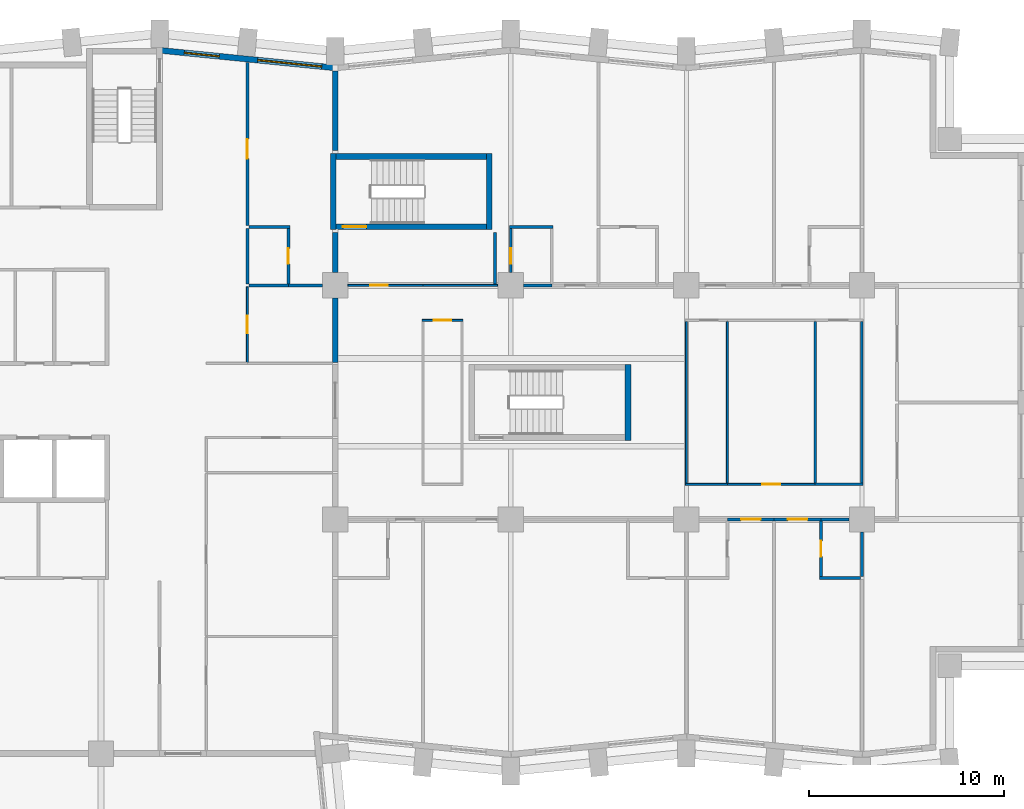
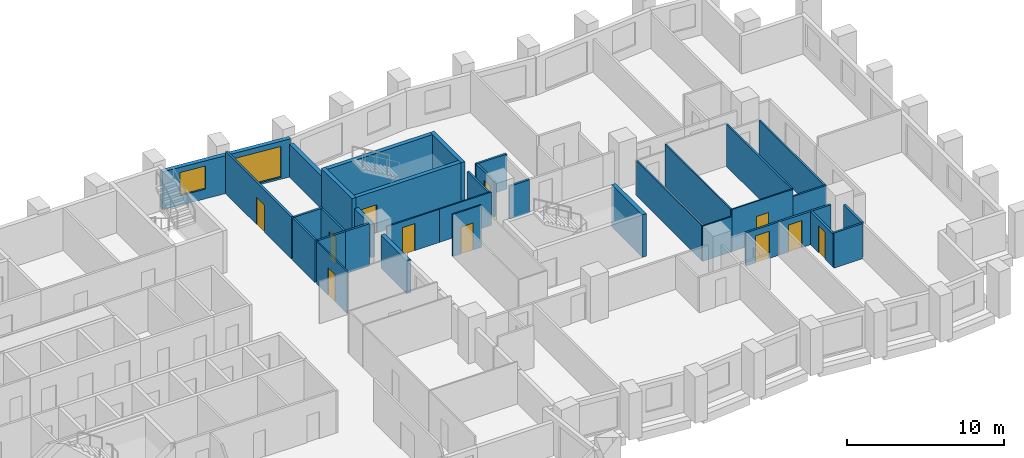
# One storey, part 8 of 12: 36 walls, 11 doors, 2 windows, 13 openings.
"""IFC4 building model written with IfcOpenShell, lengths in metres."""

import ifcopenshell
import ifcopenshell.guid

model = None  # the IFC model being written
_history = None  # IfcOwnerHistory: only IFC2X3 demands one
_inside = {}  # id of a spatial element -> (the spatial element, [elements in it])
_under = {}  # id of a project, library or spatial element -> (it, [spatial elements below it])
_declared = {}  # id of a project -> (the project, [libraries it declares])
_typed = {}  # id of a type object -> (the type object, [elements of that type])
_made_of = {}  # id of a material, layer set ... -> (it, [elements and type objects made of it])


def new_model(schema):
    """Start an empty IFC model of exactly this schema.

    Asked for "IFC4X3", IfcOpenShell would pick the latest addendum, in which some entities
    have other attributes; the version numbers below select the first issue.
    IFC2X3 requires an IfcOwnerHistory on every rooted entity: one is made here for all.
    """
    global model, _history
    if schema == "IFC4X3":
        model = ifcopenshell.file(schema_version=(4, 3, 0, 0))
    else:
        model = ifcopenshell.file(schema=schema)
    _inside.clear()
    _under.clear()
    _declared.clear()
    _typed.clear()
    _made_of.clear()
    _history = None
    if model.schema == "IFC2X3":
        org = make("IfcOrganization", Name="unknown")
        user = make(
            "IfcPersonAndOrganization",
            ThePerson=make("IfcPerson", FamilyName="unknown"),
            TheOrganization=org,
        )
        app = make(
            "IfcApplication",
            ApplicationDeveloper=org,
            Version="unknown",
            ApplicationFullName="unknown",
            ApplicationIdentifier="unknown",
        )
        _history = make(
            "IfcOwnerHistory",
            OwningUser=user,
            OwningApplication=app,
            ChangeAction="ADDED",
            CreationDate=0,
        )
    return model


def make(cls, **values):
    """One entity of the class cls with the attributes given. An attribute that is None is left unset."""
    return model.create_entity(
        cls, **{name: value for name, value in values.items() if value is not None}
    )


def rooted(cls, **values):
    """An entity with a GlobalId (a new one), such as an element, a storey or a relation."""
    return make(cls, GlobalId=ifcopenshell.guid.new(), OwnerHistory=_history, **values)


def si_unit(unit_type, name, prefix=None):
    """IfcSIUnit, for example si_unit("LENGTHUNIT", "METRE", prefix="MILLI")."""
    return make("IfcSIUnit", UnitType=unit_type, Prefix=prefix, Name=name)


def assignment(units):
    """IfcUnitAssignment: the units of a project."""
    return None if units is None else make("IfcUnitAssignment", Units=units)


def point(xyz):
    """IfcCartesianPoint."""
    return None if xyz is None else make("IfcCartesianPoint", Coordinates=xyz)


def direction(xyz):
    """IfcDirection."""
    return None if xyz is None else make("IfcDirection", DirectionRatios=xyz)


def frame(location, z_axis=None, x_axis=None):
    """IfcAxis2Placement3D, a coordinate frame: its origin and axes. An axis left out is left unset."""
    return make(
        "IfcAxis2Placement3D",
        Location=point(location),
        Axis=direction(z_axis),
        RefDirection=direction(x_axis),
    )


def frame_2d(location, x_axis=None):
    """IfcAxis2Placement2D, a coordinate frame in the plane: its origin and x axis."""
    return make(
        "IfcAxis2Placement2D", Location=point(location), RefDirection=direction(x_axis)
    )


def origin():
    """The frame at (0, 0, 0) with its axes left unset."""
    return frame((0.0, 0.0, 0.0))


def place(relative_to, where):
    """IfcLocalPlacement: puts the frame where relative to a parent placement (None: the world)."""
    return make(
        "IfcLocalPlacement", PlacementRelTo=relative_to, RelativePlacement=where
    )


def context(
    kind, dimensions, precision=None, world=None, true_north=None, identifier=None
):
    """IfcGeometricRepresentationContext, for example the 3D "Model" context."""
    return make(
        "IfcGeometricRepresentationContext",
        ContextIdentifier=identifier,
        ContextType=kind,
        CoordinateSpaceDimension=dimensions,
        Precision=precision,
        WorldCoordinateSystem=world,
        TrueNorth=true_north,
    )


def subcontext(parent, identifier, kind, view, scale=None):
    """IfcGeometricRepresentationSubContext, for example "Body" below "Model"."""
    return make(
        "IfcGeometricRepresentationSubContext",
        ContextIdentifier=identifier,
        ContextType=kind,
        ParentContext=parent,
        TargetScale=scale,
        TargetView=view,
    )


def project(units=None, contexts=None):
    """IfcProject with its units and contexts."""
    return rooted(
        "IfcProject",
        Name="project",
        RepresentationContexts=contexts,
        UnitsInContext=assignment(units),
    )


def spatial(cls, under=None, at=None, **own):
    """A site, building, storey or space (cls), placed at a placement, below another one or the project."""
    s = rooted(cls, ObjectPlacement=at, **own)
    if under is not None:
        _under.setdefault(under.id(), (under, []))[1].append(s)
    return s


def profile(cls, at=None, kind="AREA", **sizes):
    """A parametric profile (cls). Its sizes go by their IFC names, for example OverallWidth=200.0."""
    return make(cls, ProfileType=kind, Position=at, **sizes)


def rectangle(**sizes):
    """IfcRectangleProfileDef."""
    return profile("IfcRectangleProfileDef", **sizes)


def extrude(swept, where, along, depth):
    """IfcExtrudedAreaSolid: the profile swept, set in the frame where, extruded along a direction by depth."""
    return make(
        "IfcExtrudedAreaSolid",
        SweptArea=swept,
        Position=where,
        ExtrudedDirection=direction(along),
        Depth=depth,
    )


def shape(context_of_items, identifier, shape_type, items):
    """IfcShapeRepresentation: the items that make up one representation, for example the "Body"."""
    return make(
        "IfcShapeRepresentation",
        ContextOfItems=context_of_items,
        RepresentationIdentifier=identifier,
        RepresentationType=shape_type,
        Items=items,
    )


def material(Name=None, Category=None):
    """IfcMaterial."""
    return make("IfcMaterial", Name=Name, Category=Category)


def layer(
    of_material, thickness, ventilated=None, Name=None, Category=None, Priority=None
):
    """IfcMaterialLayer: one layer of a wall or slab, of a material (None: an air gap)."""
    return make(
        "IfcMaterialLayer",
        Material=of_material,
        LayerThickness=thickness,
        IsVentilated=ventilated,
        Name=Name,
        Category=Category,
        Priority=Priority,
    )


def layer_set(layers, Name=None):
    """IfcMaterialLayerSet."""
    return make("IfcMaterialLayerSet", MaterialLayers=layers, LayerSetName=Name)


def made_of(thing, what):
    """Note that an element or type object is made of a material, layer set ...; save() writes the relation."""
    if what is not None:
        _made_of.setdefault(what.id(), (what, []))[1].append(thing)
    return thing


def type_object(cls, material=None, **own):
    """A type object (cls), such as IfcWallType, which elements share."""
    return made_of(rooted(cls, **own), material)


def element(
    cls,
    number,
    at=None,
    inside=None,
    cuts=None,
    type_object=None,
    material=None,
    context=None,
    identifier="Body",
    shape_type=None,
    held_by="IfcProductDefinitionShape",
    body=None,
    shapes=None,
    **own,
):
    """One element of the class cls, such as IfcWall. Its Tag is "e" and its number.

    at: its placement. inside: the storey or other place that contains it. cuts: it is an
    opening in that element (IfcRelVoidsElement). A single representation is given by context,
    identifier, shape_type and body (its items); several are given by shapes. held_by: the class
    of the entity that holds the representations. save() writes the other relations.
    """
    e = rooted(cls, Tag="e%d" % number, ObjectPlacement=at, **own)
    if body is not None:
        shapes = [shape(context, identifier, shape_type, body)]
    if shapes is not None:
        e.Representation = make(held_by, Representations=shapes)
    if inside is not None:
        _inside.setdefault(inside.id(), (inside, []))[1].append(e)
    if cuts is not None:
        rooted(
            "IfcRelVoidsElement", RelatingBuildingElement=cuts, RelatedOpeningElement=e
        )
    if type_object is not None:
        _typed.setdefault(type_object.id(), (type_object, []))[1].append(e)
    return made_of(e, material)


def fill(opening, filler):
    """IfcRelFillsElement: the door or window that sits in an opening."""
    return rooted(
        "IfcRelFillsElement",
        RelatingOpeningElement=opening,
        RelatedBuildingElement=filler,
    )


def aggregate(whole, parts):
    """IfcRelAggregates: a whole, such as a stair, and the parts it consists of."""
    return rooted("IfcRelAggregates", RelatingObject=whole, RelatedObjects=parts)


def save(model, path):
    """Write the relations noted so far, then the file.

    IfcRelAggregates (storeys below a building ...), IfcRelContainedInSpatialStructure (elements
    in a storey), IfcRelDefinesByType, IfcRelAssociatesMaterial and IfcRelDeclares: one each for
    every whole, place, type object, material and project.
    """
    for whole, parts in _under.values():
        aggregate(whole, parts)
    for where, things in _inside.values():
        rooted(
            "IfcRelContainedInSpatialStructure",
            RelatedElements=things,
            RelatingStructure=where,
        )
    for kind, things in _typed.values():
        rooted("IfcRelDefinesByType", RelatedObjects=things, RelatingType=kind)
    for what, things in _made_of.values():
        rooted("IfcRelAssociatesMaterial", RelatedObjects=things, RelatingMaterial=what)
    for by, libraries in _declared.values():
        rooted("IfcRelDeclares", RelatingContext=by, RelatedDefinitions=libraries)
    model.write(path)


model = new_model("IFC4")

# Units and contexts
model_context = context("Model", 3, precision=1e-05, world=origin(), true_north=direction((0.0, 1.0)))
body_context = subcontext(model_context, "Body", "Model", "MODEL_VIEW")
ifc_project = project(units=[si_unit("LENGTHUNIT", "METRE"), si_unit("AREAUNIT", "SQUARE_METRE"), si_unit("VOLUMEUNIT", "CUBIC_METRE"), si_unit("PLANEANGLEUNIT", "RADIAN"), si_unit("MASSUNIT", "GRAM", prefix="KILO")], contexts=[model_context])

# Site, building, storey
site_placement = place(None, origin())
site = spatial("IfcSite", under=ifc_project, at=site_placement, CompositionType="ELEMENT")
building_placement = place(site_placement, origin())
building = spatial("IfcBuilding", under=site, at=building_placement, Name="Brondeck Convention Tower", CompositionType="ELEMENT")
storey_placement = place(building_placement, frame((0.0, 0.0, 66.300048828125)))
storey = spatial("IfcBuildingStorey", under=building, at=storey_placement, Name="L14", CompositionType="ELEMENT", Elevation=66.300048828125)

# Walls
ifc_material_1 = material(Name="Concrete compartment wall C30/37", Category="concrete")
ifc_layer_1 = layer(ifc_material_1, 0.300048828125)
ifc_layer_set_1 = layer_set([ifc_layer_1], Name="Compartment wall 300")
wall_type_1 = type_object("IfcWallType", Name="Compartment wall 300", PredefinedType="PARTITIONING", material=ifc_layer_set_1)
wall_1_placement = place(storey_placement, frame((36.0, 50.344970703125, 0.0), z_axis=(0.0, 0.0, 1.0), x_axis=(0.0, -1.0, 0.0)))
element("IfcWall", 1, at=wall_1_placement, inside=storey, type_object=wall_type_1, Name="FLR-L14-W098", PredefinedType="PARTITIONING", context=body_context, shape_type="SweptSolid", body=[
    extrude(rectangle(XDim=3.294921875, YDim=0.300048828125, at=frame_2d((1.6474609375, 0.0))), origin(), (0.0, 0.0, 1.0), 2.579833984375),
])
wall_2_placement = place(storey_placement, frame((36.0, 53.699951171875, 0.0), z_axis=(0.0, 0.0, 1.0), x_axis=(0.0, -1.0, 0.0)))
element("IfcWall", 2, at=wall_2_placement, inside=storey, type_object=wall_type_1, Name="FLR-L14-W116", PredefinedType="PARTITIONING", context=body_context, shape_type="SweptSolid", body=[
    extrude(rectangle(XDim=2.044921875, YDim=0.300048828125, at=frame_2d((1.0224609375, 0.0))), origin(), (0.0, 0.0, 1.0), 2.579833984375),
])
wall_3_placement = place(storey_placement, frame((36.0, 61.97509765625, 0.0), z_axis=(0.0, 0.0, 1.0), x_axis=(0.0, -1.0, 0.0)))
element("IfcWall", 3, at=wall_3_placement, inside=storey, type_object=wall_type_1, Name="FLR-L14-W127", PredefinedType="PARTITIONING", context=body_context, shape_type="SweptSolid", body=[
    extrude(rectangle(XDim=4.0751953125, YDim=0.300048828125, at=frame_2d((2.03759765625, 0.0))), origin(), (0.0, 0.0, 1.0), 2.579833984375),
])

# Wall, openings, windows
ifc_material_2 = material(Name="Precast concrete C50/60 bronze finish", Category="concrete")
ifc_layer_2 = layer(ifc_material_2, 0.070068359375, Name="Bronze precast facing")
ifc_material_3 = material(Name="Mineral wool")
ifc_layer_3 = layer(ifc_material_3, 0.159912109375, Name="Insulation")
ifc_material_4 = material(Name="Concrete C35/45", Category="concrete")
ifc_layer_4 = layer(ifc_material_4, 0.070068359375, Name="Backing")
ifc_layer_set_2 = layer_set([ifc_layer_2, ifc_layer_3, ifc_layer_4], Name="External infill wall, precast concrete C50/60 bronze facing")
wall_type_2 = type_object("IfcWallType", Name="External infill wall, precast concrete C50/60 bronze facing", PredefinedType="SOLIDWALL", material=ifc_layer_set_2)
wall_4_placement = place(storey_placement, frame((27.064697265625, 63.039306640625, 0.0), z_axis=(0.0, 0.0, 1.0), x_axis=(0.995036379926, -0.099511821531, 0.0)))
wall_4 = element("IfcWall", 4, at=wall_4_placement, inside=storey, type_object=wall_type_2, Name="ENV-EW-L14-P0-A-N-07", PredefinedType="SOLIDWALL", context=body_context, shape_type="SweptSolid", body=[
    extrude(rectangle(XDim=8.949951171875, YDim=0.300048828125, at=frame_2d((4.47509765625, 0.0))), origin(), (0.0, 0.0, 1.0), 2.949951171875),
])
opening_1_placement = place(wall_4_placement, frame((1.211181640625, 0.0, 0.75)))
opening_1 = element("IfcOpeningElement", 5, at=opening_1_placement, cuts=wall_4, Name="Opening W10", PredefinedType="OPENING", context=body_context, shape_type="SweptSolid", body=[
    extrude(rectangle(XDim=1.800048828125, YDim=1.800048828125, at=frame_2d((0.89990234375, 0.89990234375))), frame((0.0, 0.159912109375, 0.0), z_axis=(0.0, -1.0, 0.0), x_axis=(1.0, 0.0, 0.0)), (0.0, 0.0, 1.0), 0.320068359375),
])
opening_2_placement = place(wall_4_placement, frame((4.983642578125, 0.0, 0.14990234375)))
opening_2 = element("IfcOpeningElement", 6, at=opening_2_placement, cuts=wall_4, Name="Opening W9", PredefinedType="OPENING", context=body_context, shape_type="SweptSolid", body=[
    extrude(rectangle(XDim=3.300048828125, YDim=2.39990234375, at=frame_2d((1.64990234375, 1.199951171875))), frame((0.0, 0.159912109375, 0.0), z_axis=(0.0, -1.0, 0.0), x_axis=(1.0, 0.0, 0.0)), (0.0, 0.0, 1.0), 0.320068359375),
])
ifc_material_5 = material(Name="Bronze tinted double glazing", Category="glass")
window_type_1 = type_object("IfcWindowType", Name="Glazed flute window, bronze tinted", PartitioningType="SINGLE_PANEL", PredefinedType="WINDOW", material=ifc_material_5)
window_1_placement = place(opening_2_placement, origin())
window_1 = element("IfcWindow", 7, at=window_1_placement, inside=storey, type_object=window_type_1, Name="ENV-WN-L14-P0-A-N-07", OverallHeight=2.39990234375, OverallWidth=3.300048828125, PartitioningType="SINGLE_PANEL", PredefinedType="WINDOW", context=body_context, shape_type="SweptSolid", body=[
    extrude(rectangle(XDim=3.300048828125, YDim=2.39990234375, at=frame_2d((1.64990234375, 1.199951171875))), frame((0.0, 0.030029296875, 0.0), z_axis=(0.0, -1.0, 0.0), x_axis=(1.0, 0.0, 0.0)), (0.0, 0.0, 1.0), 0.06005859375),
])
fill(opening_2, window_1)
window_type_2 = type_object("IfcWindowType", Name="Punched window, bronze tinted", PartitioningType="SINGLE_PANEL", PredefinedType="WINDOW", material=ifc_material_5)
window_2_placement = place(opening_1_placement, origin())
window_2 = element("IfcWindow", 8, at=window_2_placement, inside=storey, type_object=window_type_2, Name="ENV-WN-L14-P0-A-N-06", OverallHeight=1.800048828125, OverallWidth=1.800048828125, PartitioningType="SINGLE_PANEL", PredefinedType="WINDOW", context=body_context, shape_type="SweptSolid", body=[
    extrude(rectangle(XDim=1.800048828125, YDim=1.800048828125, at=frame_2d((0.89990234375, 0.89990234375))), frame((0.0, 0.030029296875, 0.0), z_axis=(0.0, -1.0, 0.0), x_axis=(1.0, 0.0, 0.0)), (0.0, 0.0, 1.0), 0.06005859375),
])
fill(opening_1, window_2)

# Walls
ifc_material_6 = material(Name="Double gypsum board acoustic wall")
ifc_layer_5 = layer(ifc_material_6, 0.14990234375)
ifc_layer_set_3 = layer_set([ifc_layer_5], Name="Guest room party wall 150")
wall_type_3 = type_object("IfcWallType", Name="Guest room party wall 150", PredefinedType="PARTITIONING", material=ifc_layer_set_3)
wall_5_placement = place(storey_placement, frame((60.824951171875, 36.0, 0.0), z_axis=(0.0, 0.0, 1.0), x_axis=(1.0, 0.0, 0.0)))
element("IfcWall", 9, at=wall_5_placement, inside=storey, type_object=wall_type_3, Name="FLR-L14-W053", PredefinedType="PARTITIONING", context=body_context, shape_type="SweptSolid", body=[
    extrude(rectangle(XDim=2.10009765625, YDim=0.14990234375, at=frame_2d((1.050048828125, 0.0))), origin(), (0.0, 0.0, 1.0), 2.72998046875),
])
wall_6_placement = place(storey_placement, frame((63.0, 38.344970703125, 0.0), z_axis=(0.0, 0.0, 1.0), x_axis=(0.0, -1.0, 0.0)))
element("IfcWall", 10, at=wall_6_placement, inside=storey, type_object=wall_type_3, Name="FLR-L14-W058", PredefinedType="PARTITIONING", context=body_context, shape_type="SweptSolid", body=[
    extrude(rectangle(XDim=2.27001953125, YDim=0.14990234375, at=frame_2d((1.135009765625, 0.0))), origin(), (0.0, 0.0, 1.0), 2.72998046875),
])

# Wall, opening, door
wall_7_placement = place(storey_placement, frame((60.89990234375, 38.925048828125, 0.0), z_axis=(0.0, 0.0, 1.0), x_axis=(0.0, -1.0, 0.0)))
wall_7 = element("IfcWall", 11, at=wall_7_placement, inside=storey, type_object=wall_type_3, Name="FLR-L14-W062", PredefinedType="PARTITIONING", context=body_context, shape_type="SweptSolid", body=[
    extrude(rectangle(XDim=2.85009765625, YDim=0.14990234375, at=frame_2d((1.425048828125, 0.0))), origin(), (0.0, 0.0, 1.0), 2.579833984375),
])
opening_3_placement = place(wall_7_placement, frame((1.02490234375, 0.0, 0.0)))
opening_3 = element("IfcOpeningElement", 12, at=opening_3_placement, cuts=wall_7, Name="Opening H3-015", PredefinedType="OPENING", context=body_context, shape_type="SweptSolid", body=[
    extrude(rectangle(XDim=0.800048828125, YDim=2.10009765625, at=frame_2d((0.39990234375, 1.050048828125))), frame((0.0, 0.0849609375, 0.0), z_axis=(0.0, -1.0, 0.0), x_axis=(1.0, 0.0, 0.0)), (0.0, 0.0, 1.0), 0.169921875),
])
ifc_material_7 = material(Name="Solid timber door leaf", Category="wood")
door_type_1 = type_object("IfcDoorType", Name="En-suite door 800", OperationType="NOTDEFINED", PredefinedType="DOOR", material=ifc_material_7)
door_1_placement = place(opening_3_placement, origin())
door_1 = element("IfcDoor", 13, at=door_1_placement, inside=storey, type_object=door_type_1, Name="Door H3-015", OperationType="SINGLE_SWING_LEFT", OverallHeight=2.10009765625, OverallWidth=0.800048828125, PredefinedType="DOOR", context=body_context, shape_type="SweptSolid", body=[
    extrude(rectangle(XDim=0.800048828125, YDim=2.10009765625, at=frame_2d((0.39990234375, 1.050048828125))), frame((0.0, 0.02490234375, 0.0), z_axis=(0.0, -1.0, 0.0), x_axis=(1.0, 0.0, 0.0)), (0.0, 0.0, 1.0), 0.050048828125),
])
fill(opening_3, door_1)

wall_8_placement = place(storey_placement, frame((58.5, 39.0, 0.0), z_axis=(0.0, 0.0, 1.0), x_axis=(-1.0, 0.0, 0.0)))
wall_8 = element("IfcWall", 14, at=wall_8_placement, inside=storey, type_object=wall_type_3, Name="FLR-L14-W069", PredefinedType="PARTITIONING", context=body_context, shape_type="SweptSolid", body=[
    extrude(rectangle(XDim=2.39990234375, YDim=0.14990234375, at=frame_2d((1.199951171875, 0.0))), origin(), (0.0, 0.0, 1.0), 2.579833984375),
])
opening_4_placement = place(wall_8_placement, frame((0.699951171875, 0.0, 0.0)))
opening_4 = element("IfcOpeningElement", 15, at=opening_4_placement, cuts=wall_8, Name="Opening H3-012", PredefinedType="OPENING", context=body_context, shape_type="SweptSolid", body=[
    extrude(rectangle(XDim=1.0, YDim=2.10009765625, at=frame_2d((0.5, 1.050048828125))), frame((0.0, 0.0849609375, 0.0), z_axis=(0.0, -1.0, 0.0), x_axis=(1.0, 0.0, 0.0)), (0.0, 0.0, 1.0), 0.169921875),
])
ifc_material_8 = material(Name="Solid timber fire door leaf", Category="wood")
door_type_2 = type_object("IfcDoorType", Name="Guest room door 1000", OperationType="NOTDEFINED", PredefinedType="DOOR", material=ifc_material_8)
door_2_placement = place(opening_4_placement, origin())
door_2 = element("IfcDoor", 16, at=door_2_placement, inside=storey, type_object=door_type_2, Name="Door H3-012", OperationType="SINGLE_SWING_LEFT", OverallHeight=2.10009765625, OverallWidth=1.0, PredefinedType="DOOR", context=body_context, shape_type="SweptSolid", body=[
    extrude(rectangle(XDim=1.0, YDim=2.10009765625, at=frame_2d((0.5, 1.050048828125))), frame((0.0, 0.02490234375, 0.0), z_axis=(0.0, -1.0, 0.0), x_axis=(1.0, 0.0, 0.0)), (0.0, 0.0, 1.0), 0.050048828125),
])
fill(opening_4, door_2)

wall_9_placement = place(storey_placement, frame((60.89990234375, 39.0, 0.0), z_axis=(0.0, 0.0, 1.0), x_axis=(-1.0, 0.0, 0.0)))
wall_9 = element("IfcWall", 17, at=wall_9_placement, inside=storey, type_object=wall_type_3, Name="FLR-L14-W070", PredefinedType="PARTITIONING", context=body_context, shape_type="SweptSolid", body=[
    extrude(rectangle(XDim=2.39990234375, YDim=0.14990234375, at=frame_2d((1.199951171875, 0.0))), origin(), (0.0, 0.0, 1.0), 2.579833984375),
])
opening_5_placement = place(wall_9_placement, frame((0.699951171875, 0.0, 0.0)))
opening_5 = element("IfcOpeningElement", 18, at=opening_5_placement, cuts=wall_9, Name="Opening H3-014", PredefinedType="OPENING", context=body_context, shape_type="SweptSolid", body=[
    extrude(rectangle(XDim=1.0, YDim=2.10009765625, at=frame_2d((0.5, 1.050048828125))), frame((0.0, 0.0849609375, 0.0), z_axis=(0.0, -1.0, 0.0), x_axis=(1.0, 0.0, 0.0)), (0.0, 0.0, 1.0), 0.169921875),
])
door_3_placement = place(opening_5_placement, origin())
door_3 = element("IfcDoor", 19, at=door_3_placement, inside=storey, type_object=door_type_2, Name="Door H3-014", OperationType="SINGLE_SWING_LEFT", OverallHeight=2.10009765625, OverallWidth=1.0, PredefinedType="DOOR", context=body_context, shape_type="SweptSolid", body=[
    extrude(rectangle(XDim=1.0, YDim=2.10009765625, at=frame_2d((0.5, 1.050048828125))), frame((0.0, 0.02490234375, 0.0), z_axis=(0.0, -1.0, 0.0), x_axis=(1.0, 0.0, 0.0)), (0.0, 0.0, 1.0), 0.050048828125),
])
fill(opening_5, door_3)

# Walls
wall_10_placement = place(storey_placement, frame((62.344970703125, 39.0, 0.0), z_axis=(0.0, 0.0, 1.0), x_axis=(-1.0, 0.0, 0.0)))
element("IfcWall", 20, at=wall_10_placement, inside=storey, type_object=wall_type_3, Name="FLR-L14-W071", PredefinedType="PARTITIONING", context=body_context, shape_type="SweptSolid", body=[
    extrude(rectangle(XDim=1.445068359375, YDim=0.14990234375, at=frame_2d((0.72265625, 0.0))), origin(), (0.0, 0.0, 1.0), 2.579833984375),
])
wall_11_placement = place(storey_placement, frame((31.574951171875, 51.0, 0.0), z_axis=(0.0, 0.0, 1.0), x_axis=(1.0, 0.0, 0.0)))
element("IfcWall", 21, at=wall_11_placement, inside=storey, type_object=wall_type_3, Name="FLR-L14-W101", PredefinedType="PARTITIONING", context=body_context, shape_type="SweptSolid", body=[
    extrude(rectangle(XDim=2.025146484375, YDim=0.14990234375, at=frame_2d((1.0126953125, 0.0))), origin(), (0.0, 0.0, 1.0), 3.280029296875),
])
wall_12_placement = place(storey_placement, frame((33.60009765625, 51.0, 0.0), z_axis=(0.0, 0.0, 1.0), x_axis=(1.0, 0.0, 0.0)))
element("IfcWall", 22, at=wall_12_placement, inside=storey, type_object=wall_type_3, Name="FLR-L14-W102", PredefinedType="PARTITIONING", context=body_context, shape_type="SweptSolid", body=[
    extrude(rectangle(XDim=1.744873046875, YDim=0.14990234375, at=frame_2d((0.87255859375, 0.0))), origin(), (0.0, 0.0, 1.0), 3.280029296875),
])
wall_13_placement = place(storey_placement, frame((45.655029296875, 51.0, 0.0), z_axis=(0.0, 0.0, 1.0), x_axis=(1.0, 0.0, 0.0)))
element("IfcWall", 23, at=wall_13_placement, inside=storey, type_object=wall_type_3, Name="FLR-L14-W105", PredefinedType="PARTITIONING", context=body_context, shape_type="SweptSolid", body=[
    extrude(rectangle(XDim=1.445068359375, YDim=0.14990234375, at=frame_2d((0.72265625, 0.0))), origin(), (0.0, 0.0, 1.0), 2.579833984375),
])

# Wall, opening, door
wall_14_placement = place(storey_placement, frame((33.60009765625, 51.074951171875, 0.0), z_axis=(0.0, 0.0, 1.0), x_axis=(0.0, 1.0, 0.0)))
wall_14 = element("IfcWall", 24, at=wall_14_placement, inside=storey, type_object=wall_type_3, Name="FLR-L14-W113", PredefinedType="PARTITIONING", context=body_context, shape_type="SweptSolid", body=[
    extrude(rectangle(XDim=2.85009765625, YDim=0.14990234375, at=frame_2d((1.425048828125, 0.0))), origin(), (0.0, 0.0, 1.0), 3.280029296875),
])
opening_6_placement = place(wall_14_placement, frame((1.02490234375, 0.0, 0.0)))
opening_6 = element("IfcOpeningElement", 25, at=opening_6_placement, cuts=wall_14, Name="Opening H3-034", PredefinedType="OPENING", context=body_context, shape_type="SweptSolid", body=[
    extrude(rectangle(XDim=0.800048828125, YDim=2.10009765625, at=frame_2d((0.39990234375, 1.050048828125))), frame((0.0, 0.0849609375, 0.0), z_axis=(0.0, -1.0, 0.0), x_axis=(1.0, 0.0, 0.0)), (0.0, 0.0, 1.0), 0.169921875),
])
door_4_placement = place(opening_6_placement, origin())
door_4 = element("IfcDoor", 26, at=door_4_placement, inside=storey, type_object=door_type_1, Name="Door H3-034", OperationType="SINGLE_SWING_LEFT", OverallHeight=2.10009765625, OverallWidth=0.800048828125, PredefinedType="DOOR", context=body_context, shape_type="SweptSolid", body=[
    extrude(rectangle(XDim=0.800048828125, YDim=2.10009765625, at=frame_2d((0.39990234375, 1.050048828125))), frame((0.0, 0.02490234375, 0.0), z_axis=(0.0, -1.0, 0.0), x_axis=(1.0, 0.0, 0.0)), (0.0, 0.0, 1.0), 0.050048828125),
])
fill(opening_6, door_4)

# Walls
wall_15_placement = place(storey_placement, frame((44.199951171875, 53.699951171875, 0.0), z_axis=(0.0, 0.0, 1.0), x_axis=(0.0, -1.0, 0.0)))
element("IfcWall", 27, at=wall_15_placement, inside=storey, type_object=wall_type_3, Name="FLR-L14-W117", PredefinedType="PARTITIONING", context=body_context, shape_type="SweptSolid", body=[
    extrude(rectangle(XDim=2.625, YDim=0.14990234375, at=frame_2d((1.3125, 0.0))), origin(), (0.0, 0.0, 1.0), 2.579833984375),
])
wall_16_placement = place(storey_placement, frame((31.5, 53.925048828125, 0.0), z_axis=(0.0, 0.0, 1.0), x_axis=(0.0, -1.0, 0.0)))
element("IfcWall", 28, at=wall_16_placement, inside=storey, type_object=wall_type_3, Name="FLR-L14-W118", PredefinedType="PARTITIONING", context=body_context, shape_type="SweptSolid", body=[
    extrude(rectangle(XDim=2.85009765625, YDim=0.14990234375, at=frame_2d((1.425048828125, 0.0))), origin(), (0.0, 0.0, 1.0), 3.280029296875),
])

# Wall, opening, door
wall_17_placement = place(storey_placement, frame((45.0, 53.925048828125, 0.0), z_axis=(0.0, 0.0, 1.0), x_axis=(0.0, -1.0, 0.0)))
wall_17 = element("IfcWall", 29, at=wall_17_placement, inside=storey, type_object=wall_type_3, Name="FLR-L14-W119", PredefinedType="PARTITIONING", context=body_context, shape_type="SweptSolid", body=[
    extrude(rectangle(XDim=2.27001953125, YDim=0.14990234375, at=frame_2d((1.135009765625, 0.0))), origin(), (0.0, 0.0, 1.0), 2.72998046875),
])
opening_7_placement = place(wall_17_placement, frame((1.02490234375, 0.0, 0.0)))
opening_7 = element("IfcOpeningElement", 30, at=opening_7_placement, cuts=wall_17, Name="Opening H3-003", PredefinedType="OPENING", context=body_context, shape_type="SweptSolid", body=[
    extrude(rectangle(XDim=0.800048828125, YDim=2.10009765625, at=frame_2d((0.39990234375, 1.050048828125))), frame((0.0, 0.0849609375, 0.0), z_axis=(0.0, -1.0, 0.0), x_axis=(1.0, 0.0, 0.0)), (0.0, 0.0, 1.0), 0.169921875),
])
door_5_placement = place(opening_7_placement, origin())
door_5 = element("IfcDoor", 31, at=door_5_placement, inside=storey, type_object=door_type_1, Name="Door H3-003", OperationType="SINGLE_SWING_RIGHT", OverallHeight=2.10009765625, OverallWidth=0.800048828125, PredefinedType="DOOR", context=body_context, shape_type="SweptSolid", body=[
    extrude(rectangle(XDim=0.800048828125, YDim=2.10009765625, at=frame_2d((0.39990234375, 1.050048828125))), frame((0.0, 0.02490234375, 0.0), z_axis=(0.0, -1.0, 0.0), x_axis=(1.0, 0.0, 0.0)), (0.0, 0.0, 1.0), 0.050048828125),
])
fill(opening_7, door_5)

# Walls
wall_18_placement = place(storey_placement, frame((33.675048828125, 54.0, 0.0), z_axis=(0.0, 0.0, 1.0), x_axis=(-1.0, 0.0, 0.0)))
element("IfcWall", 32, at=wall_18_placement, inside=storey, type_object=wall_type_3, Name="FLR-L14-W123", PredefinedType="PARTITIONING", context=body_context, shape_type="SweptSolid", body=[
    extrude(rectangle(XDim=2.10009765625, YDim=0.14990234375, at=frame_2d((1.050048828125, 0.0))), origin(), (0.0, 0.0, 1.0), 3.280029296875),
])
wall_19_placement = place(storey_placement, frame((47.175048828125, 54.0, 0.0), z_axis=(0.0, 0.0, 1.0), x_axis=(-1.0, 0.0, 0.0)))
element("IfcWall", 33, at=wall_19_placement, inside=storey, type_object=wall_type_3, Name="FLR-L14-W124", PredefinedType="PARTITIONING", context=body_context, shape_type="SweptSolid", body=[
    extrude(rectangle(XDim=2.25, YDim=0.14990234375, at=frame_2d((1.125, 0.0))), origin(), (0.0, 0.0, 1.0), 2.72998046875),
])

# Wall, opening, door
wall_20_placement = place(storey_placement, frame((31.5, 62.425048828125, 0.0), z_axis=(0.0, 0.0, 1.0), x_axis=(0.0, -1.0, 0.0)))
wall_20 = element("IfcWall", 34, at=wall_20_placement, inside=storey, type_object=wall_type_3, Name="FLR-L14-W128", PredefinedType="PARTITIONING", context=body_context, shape_type="SweptSolid", body=[
    extrude(rectangle(XDim=8.35009765625, YDim=0.14990234375, at=frame_2d((4.175048828125, 0.0))), origin(), (0.0, 0.0, 1.0), 3.280029296875),
])
opening_8_placement = place(wall_20_placement, frame((3.925048828125, 0.0, 0.0)))
opening_8 = element("IfcOpeningElement", 35, at=opening_8_placement, cuts=wall_20, Name="Opening H3-033", PredefinedType="OPENING", context=body_context, shape_type="SweptSolid", body=[
    extrude(rectangle(XDim=1.0, YDim=2.10009765625, at=frame_2d((0.5, 1.050048828125))), frame((0.0, 0.0849609375, 0.0), z_axis=(0.0, -1.0, 0.0), x_axis=(1.0, 0.0, 0.0)), (0.0, 0.0, 1.0), 0.169921875),
])
door_6_placement = place(opening_8_placement, origin())
door_6 = element("IfcDoor", 36, at=door_6_placement, inside=storey, type_object=door_type_2, Name="Door H3-033", OperationType="SINGLE_SWING_LEFT", OverallHeight=2.10009765625, OverallWidth=1.0, PredefinedType="DOOR", context=body_context, shape_type="SweptSolid", body=[
    extrude(rectangle(XDim=1.0, YDim=2.10009765625, at=frame_2d((0.5, 1.050048828125))), frame((0.0, 0.02490234375, 0.0), z_axis=(0.0, -1.0, 0.0), x_axis=(1.0, 0.0, 0.0)), (0.0, 0.0, 1.0), 0.050048828125),
])
fill(opening_8, door_6)

# Walls
ifc_material_9 = material(Name="Gypsum board shaft wall on steel studs", Category="steel")
ifc_layer_6 = layer(ifc_material_9, 0.125)
ifc_layer_set_4 = layer_set([ifc_layer_6], Name="Riser wall 125")
wall_type_4 = type_object("IfcWallType", Name="Riser wall 125", PredefinedType="PARTITIONING", material=ifc_layer_set_4)
wall_21_placement = place(storey_placement, frame((60.60009765625, 40.800048828125, 0.0), z_axis=(0.0, 0.0, 1.0), x_axis=(1.0, 0.0, 0.0)))
element("IfcWall", 37, at=wall_21_placement, inside=storey, type_object=wall_type_4, Name="FLR-L14-W076", PredefinedType="PARTITIONING", context=body_context, shape_type="SweptSolid", body=[
    extrude(rectangle(XDim=2.46240234375, YDim=0.125, at=frame_2d((1.231201171875, 0.0))), origin(), (0.0, 0.0, 1.0), 2.72998046875),
])
wall_22_placement = place(storey_placement, frame((63.0, 40.862548828125, 0.0), z_axis=(0.0, 0.0, 1.0), x_axis=(0.0, 1.0, 0.0)))
element("IfcWall", 38, at=wall_22_placement, inside=storey, type_object=wall_type_4, Name="FLR-L14-W077", PredefinedType="PARTITIONING", context=body_context, shape_type="SweptSolid", body=[
    extrude(rectangle(XDim=8.27490234375, YDim=0.125, at=frame_2d((4.137451171875, 0.0))), origin(), (0.0, 0.0, 1.0), 2.72998046875),
])
wall_23_placement = place(storey_placement, frame((60.60009765625, 49.137451171875, 0.0), z_axis=(0.0, 0.0, 1.0), x_axis=(0.0, -1.0, 0.0)))
element("IfcWall", 39, at=wall_23_placement, inside=storey, type_object=wall_type_4, Name="FLR-L14-W089", PredefinedType="PARTITIONING", context=body_context, shape_type="SweptSolid", body=[
    extrude(rectangle(XDim=8.27490234375, YDim=0.125, at=frame_2d((4.137451171875, 0.0))), origin(), (0.0, 0.0, 1.0), 3.280029296875),
])
ifc_material_10 = material(Name="Gypsum board partition on steel studs", Category="steel")
ifc_layer_7 = layer(ifc_material_10, 0.10009765625)
ifc_layer_set_5 = layer_set([ifc_layer_7], Name="Room partition 100")
wall_type_5 = type_object("IfcWallType", Name="Room partition 100", PredefinedType="PARTITIONING", material=ifc_layer_set_5)
wall_24_placement = place(storey_placement, frame((53.949951171875, 40.800048828125, 0.0), z_axis=(0.0, 0.0, 1.0), x_axis=(1.0, 0.0, 0.0)))
element("IfcWall", 40, at=wall_24_placement, inside=storey, type_object=wall_type_5, Name="FLR-L14-W074", PredefinedType="PARTITIONING", context=body_context, shape_type="SweptSolid", body=[
    extrude(rectangle(XDim=2.150146484375, YDim=0.10009765625, at=frame_2d((1.0751953125, 0.0))), origin(), (0.0, 0.0, 1.0), 2.72998046875),
])

# Wall, opening, door
wall_25_placement = place(storey_placement, frame((56.10009765625, 40.800048828125, 0.0), z_axis=(0.0, 0.0, 1.0), x_axis=(1.0, 0.0, 0.0)))
wall_25 = element("IfcWall", 41, at=wall_25_placement, inside=storey, type_object=wall_type_5, Name="FLR-L14-W075", PredefinedType="PARTITIONING", context=body_context, shape_type="SweptSolid", body=[
    extrude(rectangle(XDim=4.5, YDim=0.10009765625, at=frame_2d((2.25, 0.0))), origin(), (0.0, 0.0, 1.0), 3.280029296875),
])
opening_9_placement = place(wall_25_placement, frame((1.800048828125, 0.0, 0.0)))
opening_9 = element("IfcOpeningElement", 42, at=opening_9_placement, cuts=wall_25, Name="Opening H3-018", PredefinedType="OPENING", context=body_context, shape_type="SweptSolid", body=[
    extrude(rectangle(XDim=0.89990234375, YDim=2.10009765625, at=frame_2d((0.449951171875, 1.050048828125))), frame((0.0, 0.06005859375, 0.0), z_axis=(0.0, -1.0, 0.0), x_axis=(1.0, 0.0, 0.0)), (0.0, 0.0, 1.0), 0.1201171875),
])
door_type_3 = type_object("IfcDoorType", Name="Single door 900", OperationType="NOTDEFINED", PredefinedType="DOOR", material=ifc_material_7)
door_7_placement = place(opening_9_placement, origin())
door_7 = element("IfcDoor", 43, at=door_7_placement, inside=storey, type_object=door_type_3, Name="Door H3-018", OperationType="SINGLE_SWING_LEFT", OverallHeight=2.10009765625, OverallWidth=0.89990234375, PredefinedType="DOOR", context=body_context, shape_type="SweptSolid", body=[
    extrude(rectangle(XDim=0.89990234375, YDim=2.10009765625, at=frame_2d((0.449951171875, 1.050048828125))), frame((0.0, 0.02490234375, 0.0), z_axis=(0.0, -1.0, 0.0), x_axis=(1.0, 0.0, 0.0)), (0.0, 0.0, 1.0), 0.050048828125),
])
fill(opening_9, door_7)

# Walls
wall_26_placement = place(storey_placement, frame((54.0, 49.14990234375, 0.0), z_axis=(0.0, 0.0, 1.0), x_axis=(0.0, -1.0, 0.0)))
element("IfcWall", 44, at=wall_26_placement, inside=storey, type_object=wall_type_5, Name="FLR-L14-W092", PredefinedType="PARTITIONING", context=body_context, shape_type="SweptSolid", body=[
    extrude(rectangle(XDim=8.2998046875, YDim=0.10009765625, at=frame_2d((4.14990234375, 0.0))), origin(), (0.0, 0.0, 1.0), 2.72998046875),
])
wall_27_placement = place(storey_placement, frame((56.10009765625, 49.14990234375, 0.0), z_axis=(0.0, 0.0, 1.0), x_axis=(0.0, -1.0, 0.0)))
element("IfcWall", 45, at=wall_27_placement, inside=storey, type_object=wall_type_5, Name="FLR-L14-W093", PredefinedType="PARTITIONING", context=body_context, shape_type="SweptSolid", body=[
    extrude(rectangle(XDim=8.2998046875, YDim=0.10009765625, at=frame_2d((4.14990234375, 0.0))), origin(), (0.0, 0.0, 1.0), 3.280029296875),
])

# Wall, opening, door
wall_28_placement = place(storey_placement, frame((42.550048828125, 49.199951171875, 0.0), z_axis=(0.0, 0.0, 1.0), x_axis=(-1.0, 0.0, 0.0)))
wall_28 = element("IfcWall", 46, at=wall_28_placement, inside=storey, type_object=wall_type_5, Name="FLR-L14-W094", PredefinedType="PARTITIONING", context=body_context, shape_type="SweptSolid", body=[
    extrude(rectangle(XDim=2.10009765625, YDim=0.10009765625, at=frame_2d((1.050048828125, 0.0))), origin(), (0.0, 0.0, 1.0), 3.280029296875),
])
opening_10_placement = place(wall_28_placement, frame((0.60009765625, 0.0, 0.0)))
opening_10 = element("IfcOpeningElement", 47, at=opening_10_placement, cuts=wall_28, Name="Opening H3-016", PredefinedType="OPENING", context=body_context, shape_type="SweptSolid", body=[
    extrude(rectangle(XDim=0.89990234375, YDim=2.10009765625, at=frame_2d((0.449951171875, 1.050048828125))), frame((0.0, 0.06005859375, 0.0), z_axis=(0.0, -1.0, 0.0), x_axis=(1.0, 0.0, 0.0)), (0.0, 0.0, 1.0), 0.1201171875),
])
door_8_placement = place(opening_10_placement, origin())
door_8 = element("IfcDoor", 48, at=door_8_placement, inside=storey, type_object=door_type_3, Name="Door H3-016", OperationType="SINGLE_SWING_LEFT", OverallHeight=2.10009765625, OverallWidth=0.89990234375, PredefinedType="DOOR", context=body_context, shape_type="SweptSolid", body=[
    extrude(rectangle(XDim=0.89990234375, YDim=2.10009765625, at=frame_2d((0.449951171875, 1.050048828125))), frame((0.0, 0.02490234375, 0.0), z_axis=(0.0, -1.0, 0.0), x_axis=(1.0, 0.0, 0.0)), (0.0, 0.0, 1.0), 0.050048828125),
])
fill(opening_10, door_8)

wall_29_placement = place(storey_placement, frame((31.5, 50.925048828125, 0.0), z_axis=(0.0, 0.0, 1.0), x_axis=(0.0, -1.0, 0.0)))
wall_29 = element("IfcWall", 49, at=wall_29_placement, inside=storey, type_object=wall_type_5, Name="FLR-L14-W099", PredefinedType="PARTITIONING", context=body_context, shape_type="SweptSolid", body=[
    extrude(rectangle(XDim=3.875, YDim=0.10009765625, at=frame_2d((1.9375, 0.0))), origin(), (0.0, 0.0, 1.0), 3.280029296875),
])
opening_11_placement = place(wall_29_placement, frame((1.47509765625, 0.0, 0.0)))
opening_11 = element("IfcOpeningElement", 50, at=opening_11_placement, cuts=wall_29, Name="Opening H3-035", PredefinedType="OPENING", context=body_context, shape_type="SweptSolid", body=[
    extrude(rectangle(XDim=0.89990234375, YDim=2.10009765625, at=frame_2d((0.449951171875, 1.050048828125))), frame((0.0, 0.06005859375, 0.0), z_axis=(0.0, -1.0, 0.0), x_axis=(1.0, 0.0, 0.0)), (0.0, 0.0, 1.0), 0.1201171875),
])
door_9_placement = place(opening_11_placement, origin())
door_9 = element("IfcDoor", 51, at=door_9_placement, inside=storey, type_object=door_type_3, Name="Door H3-035", OperationType="SINGLE_SWING_LEFT", OverallHeight=2.10009765625, OverallWidth=0.89990234375, PredefinedType="DOOR", context=body_context, shape_type="SweptSolid", body=[
    extrude(rectangle(XDim=0.89990234375, YDim=2.10009765625, at=frame_2d((0.449951171875, 1.050048828125))), frame((0.0, 0.02490234375, 0.0), z_axis=(0.0, -1.0, 0.0), x_axis=(1.0, 0.0, 0.0)), (0.0, 0.0, 1.0), 0.050048828125),
])
fill(opening_11, door_9)

wall_30_placement = place(storey_placement, frame((40.5, 51.0, 0.0), z_axis=(0.0, 0.0, 1.0), x_axis=(-1.0, 0.0, 0.0)))
wall_30 = element("IfcWall", 52, at=wall_30_placement, inside=storey, type_object=wall_type_5, Name="FLR-L14-W103", PredefinedType="PARTITIONING", context=body_context, shape_type="SweptSolid", body=[
    extrude(rectangle(XDim=3.844970703125, YDim=0.10009765625, at=frame_2d((1.92236328125, 0.0))), origin(), (0.0, 0.0, 1.0), 2.579833984375),
])
opening_12_placement = place(wall_30_placement, frame((1.800048828125, 0.0, 0.0)))
opening_12 = element("IfcOpeningElement", 53, at=opening_12_placement, cuts=wall_30, Name="Opening H3-001", PredefinedType="OPENING", context=body_context, shape_type="SweptSolid", body=[
    extrude(rectangle(XDim=0.89990234375, YDim=2.10009765625, at=frame_2d((0.449951171875, 1.050048828125))), frame((0.0, 0.06005859375, 0.0), z_axis=(0.0, -1.0, 0.0), x_axis=(1.0, 0.0, 0.0)), (0.0, 0.0, 1.0), 0.1201171875),
])
door_10_placement = place(opening_12_placement, origin())
door_10 = element("IfcDoor", 54, at=door_10_placement, inside=storey, type_object=door_type_3, Name="Door H3-001", OperationType="SINGLE_SWING_LEFT", OverallHeight=2.10009765625, OverallWidth=0.89990234375, PredefinedType="DOOR", context=body_context, shape_type="SweptSolid", body=[
    extrude(rectangle(XDim=0.89990234375, YDim=2.10009765625, at=frame_2d((0.449951171875, 1.050048828125))), frame((0.0, 0.02490234375, 0.0), z_axis=(0.0, -1.0, 0.0), x_axis=(1.0, 0.0, 0.0)), (0.0, 0.0, 1.0), 0.050048828125),
])
fill(opening_12, door_10)

# Wall
wall_31_placement = place(storey_placement, frame((44.330078125, 51.0, 0.0), z_axis=(0.0, 0.0, 1.0), x_axis=(-1.0, 0.0, 0.0)))
element("IfcWall", 55, at=wall_31_placement, inside=storey, type_object=wall_type_5, Name="FLR-L14-W104", PredefinedType="PARTITIONING", context=body_context, shape_type="SweptSolid", body=[
    extrude(rectangle(XDim=3.830078125, YDim=0.10009765625, at=frame_2d((1.9150390625, 0.0))), origin(), (0.0, 0.0, 1.0), 2.579833984375),
])

# Wall, opening, door
ifc_material_11 = material(Name="Concrete C80/95", Category="concrete")
ifc_layer_8 = layer(ifc_material_11, 0.300048828125)
ifc_layer_set_6 = layer_set([ifc_layer_8], Name="Stair enclosure wall 300 Concrete C80/95")
wall_type_6 = type_object("IfcWallType", Name="Stair enclosure wall 300 Concrete C80/95", PredefinedType="SHEAR", material=ifc_layer_set_6)
wall_32_placement = place(storey_placement, frame((36.050048828125, 54.0, 0.0), z_axis=(0.0, 0.0, 1.0), x_axis=(1.0, 0.0, 0.0)))
wall_32 = element("IfcWall", 56, at=wall_32_placement, inside=storey, type_object=wall_type_6, Name="L14 core wall", PredefinedType="SHEAR", context=body_context, shape_type="SweptSolid", body=[
    extrude(rectangle(XDim=7.699951171875, YDim=0.300048828125, at=frame_2d((3.85009765625, 0.0))), origin(), (0.0, 0.0, 1.0), 3.300048828125),
])
opening_13_placement = place(wall_32_placement, frame((0.35009765625, 0.0, 0.0)))
opening_13 = element("IfcOpeningElement", 57, at=opening_13_placement, cuts=wall_32, Name="Opening C10-18", PredefinedType="OPENING", context=body_context, shape_type="SweptSolid", body=[
    extrude(rectangle(XDim=1.199951171875, YDim=2.199951171875, at=frame_2d((0.60009765625, 1.10009765625))), frame((0.0, 0.159912109375, 0.0), z_axis=(0.0, -1.0, 0.0), x_axis=(1.0, 0.0, 0.0)), (0.0, 0.0, 1.0), 0.320068359375),
])
ifc_material_12 = material(Name="Steel fire door", Category="steel")
door_type_4 = type_object("IfcDoorType", Name="Stair door 1200x2200 EI 90", OperationType="NOTDEFINED", PredefinedType="DOOR", material=ifc_material_12)
door_11_placement = place(opening_13_placement, origin())
door_11 = element("IfcDoor", 58, at=door_11_placement, inside=storey, type_object=door_type_4, Name="L14 Stair door ST-AE", OperationType="SINGLE_SWING_LEFT", OverallHeight=2.199951171875, OverallWidth=1.199951171875, PredefinedType="DOOR", context=body_context, shape_type="SweptSolid", body=[
    extrude(rectangle(XDim=1.199951171875, YDim=2.199951171875, at=frame_2d((0.60009765625, 1.10009765625))), frame((0.0, 0.02490234375, 0.0), z_axis=(0.0, -1.0, 0.0), x_axis=(1.0, 0.0, 0.0)), (0.0, 0.0, 1.0), 0.050048828125),
])
fill(opening_13, door_11)

# Walls
wall_33_placement = place(storey_placement, frame((36.050048828125, 57.60009765625, 0.0), z_axis=(0.0, 0.0, 1.0), x_axis=(1.0, 0.0, 0.0)))
element("IfcWall", 59, at=wall_33_placement, inside=storey, type_object=wall_type_6, Name="L14 core wall", PredefinedType="SHEAR", context=body_context, shape_type="SweptSolid", body=[
    extrude(rectangle(XDim=7.699951171875, YDim=0.300048828125, at=frame_2d((3.85009765625, 0.0))), origin(), (0.0, 0.0, 1.0), 3.300048828125),
])
for number, where, z_axis, x_axis, name in (
    (60, (35.89990234375, 53.85009765625, 0.0), (0.0, 0.0, 1.0), (0.0, 1.0, 0.0), "L14 core wall"),
    (61, (43.89990234375, 53.85009765625, 0.0), (0.0, 0.0, 1.0), (0.0, 1.0, 0.0), "L14 core wall"),
    (62, (51.0, 43.050048828125, 0.0), (0.0, 0.0, 1.0), (0.0, 1.0, 0.0), "L14 core wall"),
):
    element("IfcWall", number, at=place(storey_placement, frame(where, z_axis=z_axis, x_axis=x_axis)), inside=storey, type_object=wall_type_6, Name=name, PredefinedType="SHEAR", context=body_context, shape_type="SweptSolid", body=[
        extrude(rectangle(XDim=3.89990234375, YDim=0.300048828125, at=frame_2d((1.949951171875, 0.0))), origin(), (0.0, 0.0, 1.0), 3.300048828125),
    ])

save(model, "model.ifc")
